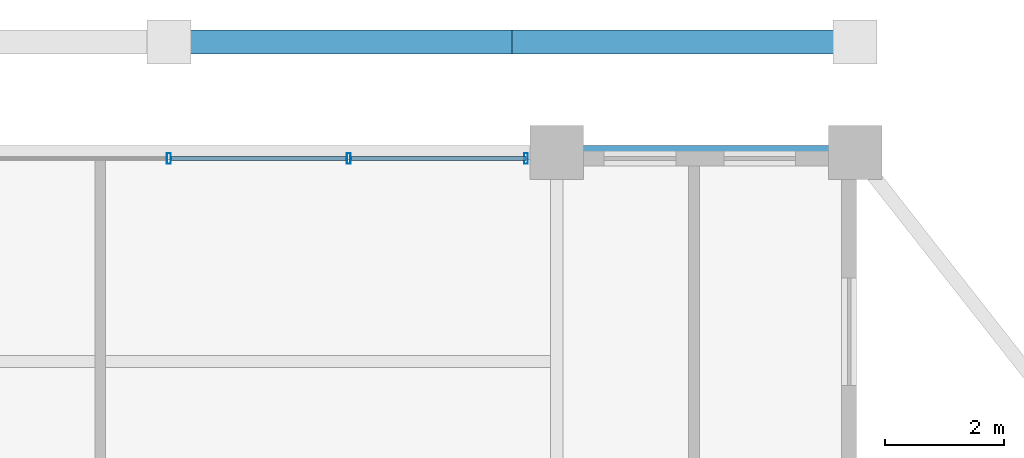
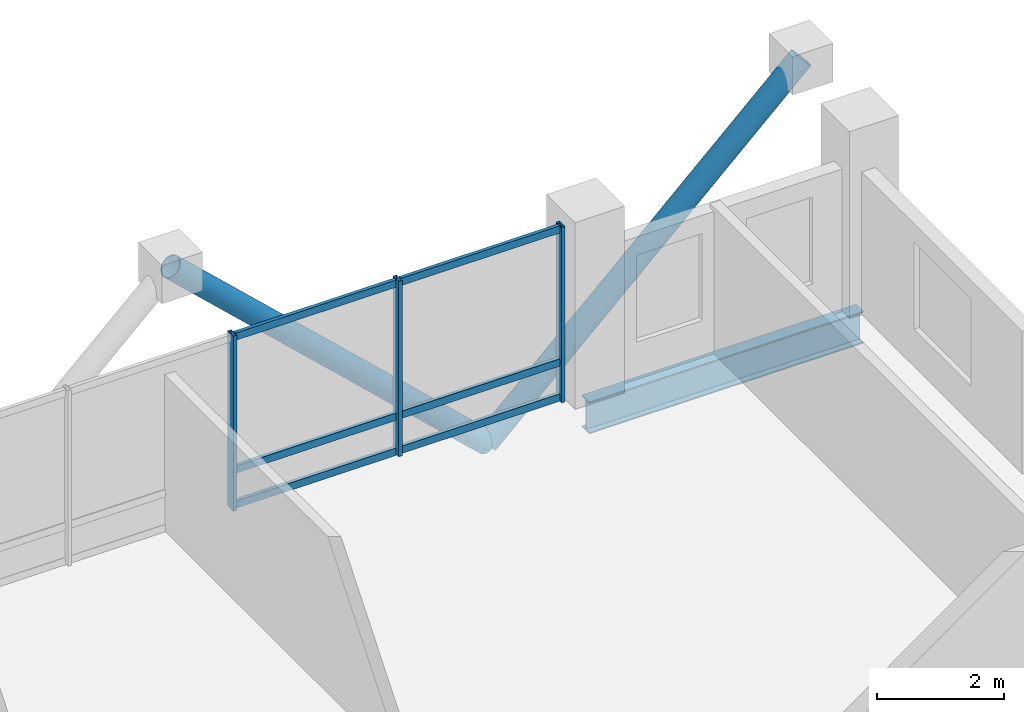
# One storey, part 16 of 23: 11 members, 1 beam, 1 element without a shape of its own.
"""IFC4 building model written with IfcOpenShell, lengths in metres."""

from ifc_helpers import new_model, si_unit, direction, frame, origin, origin_2d, place, context, subcontext, project, spatial, hollow_rectangle, hollow_circle, i_section, extrude, material, layer, layer_set, material_profile, profile_set, type_object, element, aggregate, save


model = new_model("IFC4")

# Units and contexts
model_context = context("Model", 3, precision=1e-05, world=origin(), true_north=direction((0.0, 1.0)))
body_context = subcontext(model_context, "Body", "Model", "MODEL_VIEW")
ifc_project = project(units=[si_unit("LENGTHUNIT", "METRE"), si_unit("AREAUNIT", "SQUARE_METRE"), si_unit("VOLUMEUNIT", "CUBIC_METRE"), si_unit("PLANEANGLEUNIT", "RADIAN"), si_unit("MASSUNIT", "GRAM", prefix="KILO")], contexts=[model_context])

# Site, building, storey
site_placement = place(None, origin())
site = spatial("IfcSite", under=ifc_project, at=site_placement, CompositionType="ELEMENT")
building_placement = place(site_placement, origin())
building = spatial("IfcBuilding", under=site, at=building_placement, Name="Barlavira Tower and Art Museum", CompositionType="ELEMENT")
storey_placement = place(building_placement, frame((0.0, 0.0, 290.699951171875)))
storey = spatial("IfcBuildingStorey", under=building, at=storey_placement, Name="L76", CompositionType="ELEMENT", Elevation=290.699951171875)

# Curtain wall, members
ifc_material_1 = material(Name="Low-iron coastal laminated glass", Category="glass")
ifc_layer = layer(ifc_material_1, 0.2099609375, Name="Low-iron coastal laminated glass")
ifc_layer_set = layer_set([ifc_layer], Name="Low-iron coastal laminated glass")
curtain_wall_type = type_object("IfcCurtainWallType", Name="Pale-Metal Unitised Curtain Wall Zone 4", PredefinedType="NOTDEFINED", material=ifc_layer_set)
curtain_wall_placement = place(storey_placement, origin())
curtain_wall = element("IfcCurtainWall", 1, at=curtain_wall_placement, inside=storey, type_object=curtain_wall_type, Name="L76 Curtain Wall CW4-L76-N-B2", PredefinedType="NOTDEFINED")
ifc_material_2 = material(Name="Pale anodised aluminium", Category="aluminium")
ifc_material_profile_1 = material_profile(ifc_material_2, hollow_rectangle(XDim=0.06494140625, YDim=0.179931640625, WallThickness=0.00390625, at=origin_2d()), Name="ALU-MULL 65x180x4")
ifc_profile_set_1 = profile_set([ifc_material_profile_1], Name="Pale anodised aluminium")
member_type_1 = type_object("IfcMemberType", Name="Curtain Wall Pale-Metal Mullion 65x180", PredefinedType="MULLION", material=ifc_profile_set_1)
member_1_placement = place(storey_placement, frame((5.985107421875, 19.89990234375, 0.0), z_axis=(0.0, 0.0, 1.0), x_axis=(-1.0, 0.0, 0.0)))
member_1 = element("IfcMember", 2, at=member_1_placement, type_object=member_type_1, Name="CW4-L76-N-B2 Mullion 0", PredefinedType="MULLION", context=body_context, shape_type="SweptSolid", body=[
    extrude(hollow_rectangle(XDim=0.06494140625, YDim=0.179931640625, WallThickness=0.00390625, at=origin_2d()), origin(), (0.0, 0.0, 1.0), 3.380126953125),
])
member_2_placement = place(storey_placement, frame((3.014892578125, 19.89990234375, 0.0), z_axis=(0.0, 0.0, 1.0), x_axis=(-1.0, 0.0, 0.0)))
member_2 = element("IfcMember", 3, at=member_2_placement, type_object=member_type_1, Name="CW4-L76-N-B2 Mullion 1", PredefinedType="MULLION", context=body_context, shape_type="SweptSolid", body=[
    extrude(hollow_rectangle(XDim=0.06494140625, YDim=0.179931640625, WallThickness=0.00390625, at=origin_2d()), origin(), (0.0, 0.0, 1.0), 3.380126953125),
])
member_3_placement = place(storey_placement, frame((0.0, 19.89990234375, 0.0), z_axis=(0.0, 0.0, 1.0), x_axis=(-1.0, 0.0, 0.0)))
member_3 = element("IfcMember", 4, at=member_3_placement, type_object=member_type_1, Name="CW4-L76-N-B2 Mullion 2", PredefinedType="MULLION", context=body_context, shape_type="SweptSolid", body=[
    extrude(hollow_rectangle(XDim=0.06494140625, YDim=0.179931640625, WallThickness=0.00390625, at=origin_2d()), origin(), (0.0, 0.0, 1.0), 3.380126953125),
])
ifc_material_profile_2 = material_profile(ifc_material_2, hollow_rectangle(XDim=0.06494140625, YDim=0.139892578125, WallThickness=0.00390625, at=origin_2d()), Name="ALU-TRAN 65x140x4")
ifc_profile_set_2 = profile_set([ifc_material_profile_2], Name="Pale anodised aluminium")
member_type_2 = type_object("IfcMemberType", Name="Curtain Wall Pale-Metal Transom 65x140", PredefinedType="USERDEFINED", material=ifc_profile_set_2)
member_4_placement = place(storey_placement, frame((5.985107421875, 19.89990234375, 0.070068359375), z_axis=(-1.0, 0.0, 0.0), x_axis=(0.0, -1.0, 0.0)))
member_4 = element("IfcMember", 5, at=member_4_placement, type_object=member_type_2, Name="CW4-L76-N-B2 Transom 0.1", ObjectType="TRANSOM", PredefinedType="USERDEFINED", context=body_context, shape_type="SweptSolid", body=[
    extrude(hollow_rectangle(XDim=0.06494140625, YDim=0.139892578125, WallThickness=0.00390625, at=origin_2d()), origin(), (0.0, 0.0, 1.0), 2.925048828125),
])
member_5_placement = place(storey_placement, frame((5.985107421875, 19.89990234375, 0.744140625), z_axis=(-1.0, 0.0, 0.0), x_axis=(0.0, -1.0, 0.0)))
member_5 = element("IfcMember", 6, at=member_5_placement, type_object=member_type_2, Name="CW4-L76-N-B2 Transom 0.2", ObjectType="TRANSOM", PredefinedType="USERDEFINED", context=body_context, shape_type="SweptSolid", body=[
    extrude(hollow_rectangle(XDim=0.06494140625, YDim=0.139892578125, WallThickness=0.00390625, at=origin_2d()), origin(), (0.0, 0.0, 1.0), 2.925048828125),
])
member_6_placement = place(storey_placement, frame((5.985107421875, 19.89990234375, 3.31005859375), z_axis=(-1.0, 0.0, 0.0), x_axis=(0.0, -1.0, 0.0)))
member_6 = element("IfcMember", 7, at=member_6_placement, type_object=member_type_2, Name="CW4-L76-N-B2 Transom 0.3", ObjectType="TRANSOM", PredefinedType="USERDEFINED", context=body_context, shape_type="SweptSolid", body=[
    extrude(hollow_rectangle(XDim=0.06494140625, YDim=0.139892578125, WallThickness=0.00390625, at=origin_2d()), origin(), (0.0, 0.0, 1.0), 2.925048828125),
])
member_7_placement = place(storey_placement, frame((2.969970703125, 19.89990234375, 0.070068359375), z_axis=(-1.0, 0.0, 0.0), x_axis=(0.0, -1.0, 0.0)))
member_7 = element("IfcMember", 8, at=member_7_placement, type_object=member_type_2, Name="CW4-L76-N-B2 Transom 1.1", ObjectType="TRANSOM", PredefinedType="USERDEFINED", context=body_context, shape_type="SweptSolid", body=[
    extrude(hollow_rectangle(XDim=0.06494140625, YDim=0.139892578125, WallThickness=0.00390625, at=origin_2d()), origin(), (0.0, 0.0, 1.0), 2.925048828125),
])
member_8_placement = place(storey_placement, frame((2.969970703125, 19.89990234375, 0.744140625), z_axis=(-1.0, 0.0, 0.0), x_axis=(0.0, -1.0, 0.0)))
member_8 = element("IfcMember", 9, at=member_8_placement, type_object=member_type_2, Name="CW4-L76-N-B2 Transom 1.2", ObjectType="TRANSOM", PredefinedType="USERDEFINED", context=body_context, shape_type="SweptSolid", body=[
    extrude(hollow_rectangle(XDim=0.06494140625, YDim=0.139892578125, WallThickness=0.00390625, at=origin_2d()), origin(), (0.0, 0.0, 1.0), 2.925048828125),
])
member_9_placement = place(storey_placement, frame((2.969970703125, 19.89990234375, 3.31005859375), z_axis=(-1.0, 0.0, 0.0), x_axis=(0.0, -1.0, 0.0)))
member_9 = element("IfcMember", 10, at=member_9_placement, type_object=member_type_2, Name="CW4-L76-N-B2 Transom 1.3", ObjectType="TRANSOM", PredefinedType="USERDEFINED", context=body_context, shape_type="SweptSolid", body=[
    extrude(hollow_rectangle(XDim=0.06494140625, YDim=0.139892578125, WallThickness=0.00390625, at=origin_2d()), origin(), (0.0, 0.0, 1.0), 2.925048828125),
])
aggregate(curtain_wall, [member_1, member_2, member_3, member_4, member_5, member_6, member_7, member_8, member_9])

# Members
ifc_material_3 = material(Name="Steel S355", Category="steel")
ifc_material_profile_3 = material_profile(ifc_material_3, hollow_circle(Radius=0.203125, WallThickness=0.01611328125, at=origin_2d()), Name="CHS 406.4x16.0")
ifc_profile_set_3 = profile_set([ifc_material_profile_3], Name="Steel S355")
member_type_3 = type_object("IfcMemberType", Name="Pale-Metal Exoskeleton Diagrid Tube CHS 406x16 Steel S355", PredefinedType="BRACE", material=ifc_profile_set_3)
for number, where, z_axis, x_axis, name in (
    (11, (5.75, 21.85009765625, -1.919921875), (-0.728950095515, 0.0, 0.684566839869), (0.0, -1.0, 0.0), "L76 Exoskeleton Diagrid Tube N"),
    (12, (5.75, 21.85009765625, -1.919921875), (0.728950095515, 0.0, 0.684566839869), (0.0, 1.0, 0.0), "L76 Exoskeleton Diagrid Tube N"),
):
    element("IfcMember", number, at=place(storey_placement, frame(where, z_axis=z_axis, x_axis=x_axis)), inside=storey, type_object=member_type_3, Name=name, PredefinedType="BRACE", context=body_context, shape_type="SweptSolid", body=[
        extrude(hollow_circle(Radius=0.203125, WallThickness=0.01611328125, at=origin_2d()), origin(), (0.0, 0.0, 1.0), 7.887939453125),
    ])

# Beam
ifc_material_profile_4 = material_profile(ifc_material_3, i_section(OverallWidth=0.22998046875, OverallDepth=0.616943359375, WebThickness=0.01318359375, FlangeThickness=0.022216796875, at=origin_2d()), Name="W610x140.0")
ifc_profile_set_4 = profile_set([ifc_material_profile_4], Name="Steel S355")
beam_type = type_object("IfcBeamType", Name="Upper Shaft Spandrel Edge Beam W610x140 Steel S355", PredefinedType="SPANDREL", material=ifc_profile_set_4)
beam_placement = place(storey_placement, frame((6.5, 20.0, -0.528564453125), z_axis=(1.0, 0.0, 0.0), x_axis=(0.0, 1.0, 0.0)))
element("IfcBeam", 13, at=beam_placement, inside=storey, type_object=beam_type, Name="L76 Spandrel 9", PredefinedType="SPANDREL", context=body_context, shape_type="SweptSolid", body=[
    extrude(i_section(OverallWidth=0.22998046875, OverallDepth=0.616943359375, WebThickness=0.01318359375, FlangeThickness=0.022216796875, at=origin_2d()), origin(), (0.0, 0.0, 1.0), 5.0),
])

save(model, "model.ifc")
